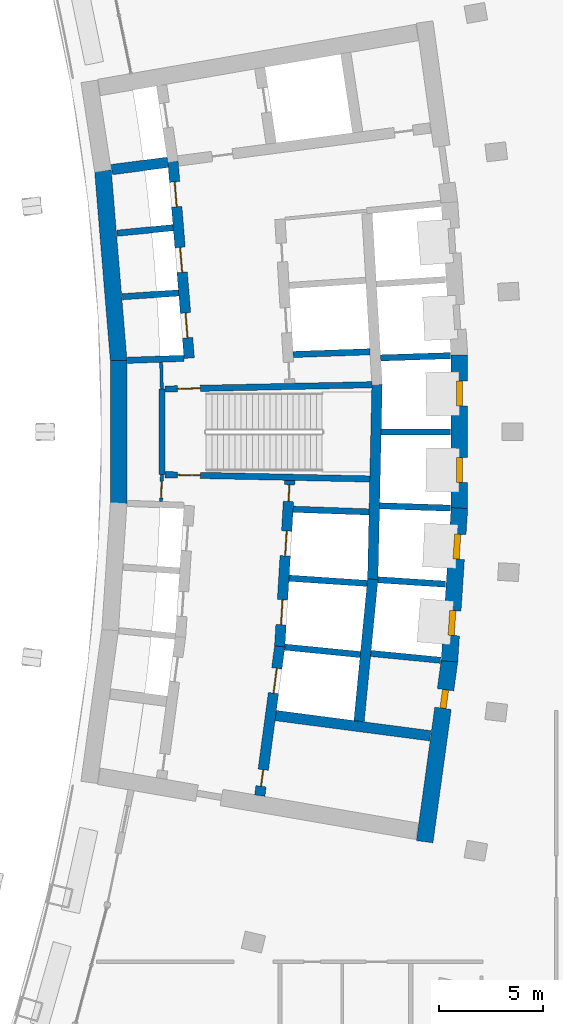
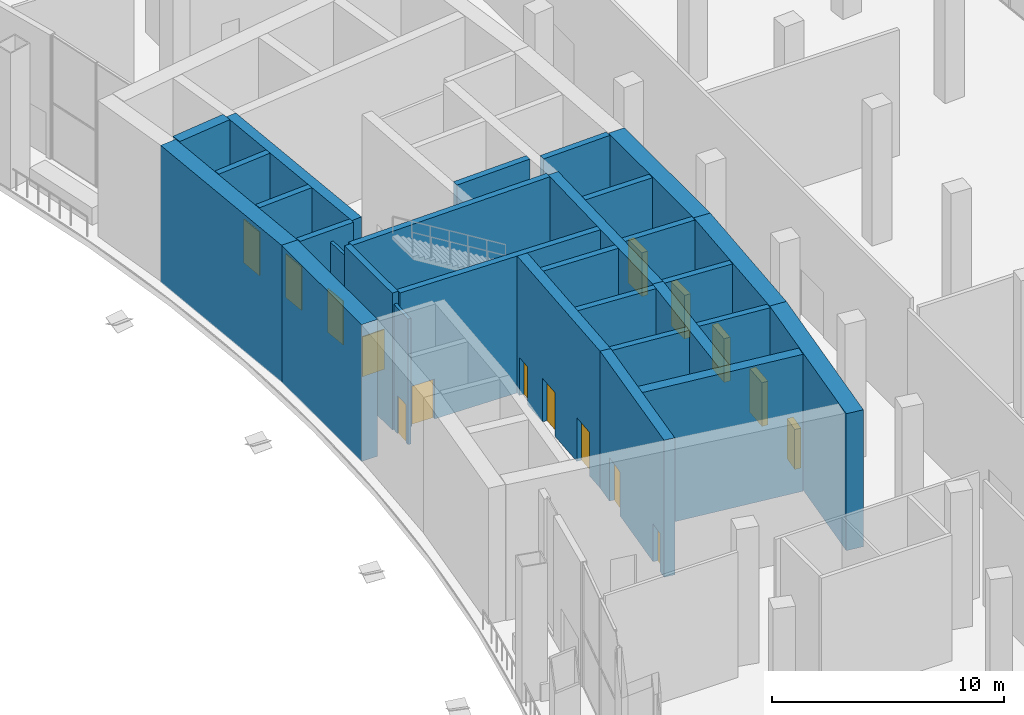
# One storey, part 10 of 18: 29 walls, 16 doors, 16 openings.
"""IFC4 building model written with IfcOpenShell, lengths in metres."""

from ifc_helpers import new_model, si_unit, direction, frame, frame_2d, origin, place, context, subcontext, project, spatial, rectangle, extrude, material, layer, layer_set, type_object, element, fill, save


model = new_model("IFC4")

# Units and contexts
model_context = context("Model", 3, precision=1e-05, world=origin(), true_north=direction((0.0, 1.0)))
body_context = subcontext(model_context, "Body", "Model", "MODEL_VIEW")
ifc_project = project(units=[si_unit("LENGTHUNIT", "METRE"), si_unit("AREAUNIT", "SQUARE_METRE"), si_unit("VOLUMEUNIT", "CUBIC_METRE"), si_unit("PLANEANGLEUNIT", "RADIAN"), si_unit("MASSUNIT", "GRAM", prefix="KILO")], contexts=[model_context])

# Site, building, storey
site_placement = place(None, origin())
site = spatial("IfcSite", under=ifc_project, at=site_placement, CompositionType="ELEMENT")
building_placement = place(site_placement, origin())
building = spatial("IfcBuilding", under=site, at=building_placement, Name="Alderwake Tower", CompositionType="ELEMENT")
storey_placement = place(building_placement, frame((0.0, 0.0, 125.60009765625)))
storey = spatial("IfcBuildingStorey", under=building, at=storey_placement, Name="L31", CompositionType="ELEMENT", Elevation=125.60009765625)

# Wall, opening, door
ifc_material_1 = material(Name="Gypsum shaft wall system, rated")
ifc_layer_1 = layer(ifc_material_1, 0.14990234375)
ifc_layer_set_1 = layer_set([ifc_layer_1], Name="Core room partition 150")
wall_type_1 = type_object("IfcWallType", Name="Core room partition 150", PredefinedType="PARTITIONING", material=ifc_layer_set_1)
wall_1_placement = place(storey_placement, frame((18.918701171875, 58.94384765625, 0.0), z_axis=(0.0, 0.0, 1.0), x_axis=(-0.027348257573, -0.999625966453, 0.0)))
wall_1 = element("IfcWall", 1, at=wall_1_placement, inside=storey, type_object=wall_type_1, Name="CW/L31/PA+24_-37", PredefinedType="PARTITIONING", context=body_context, shape_type="SweptSolid", body=[
    extrude(rectangle(XDim=1.29443359375, YDim=0.14990234375, at=frame_2d((0.647216796875, 0.0))), origin(), (0.0, 0.0, 1.0), 6.599853515625),
])
opening_1_placement = place(wall_1_placement, frame((0.322998046875, 0.0, 0.0)))
opening_1 = element("IfcOpeningElement", 2, at=opening_1_placement, cuts=wall_1, Name="Opening C004", PredefinedType="OPENING", context=body_context, shape_type="SweptSolid", body=[
    extrude(rectangle(XDim=0.800048828125, YDim=2.0, at=frame_2d((0.39990234375, 1.0))), frame((0.0, 0.0849609375, 0.0), z_axis=(0.0, -1.0, 0.0), x_axis=(1.0, 0.0, 0.0)), (0.0, 0.0, 1.0), 0.169921875),
])
ifc_material_2 = material(Name="Painted steel leaf, rated", Category="steel")
door_type_1 = type_object("IfcDoorType", Name="Riser access door 800", OperationType="SINGLE_SWING_LEFT", PredefinedType="DOOR", material=ifc_material_2)
door_1_placement = place(opening_1_placement, origin())
door_1 = element("IfcDoor", 3, at=door_1_placement, inside=storey, type_object=door_type_1, Name="Riser access door", OperationType="SINGLE_SWING_RIGHT", OverallHeight=2.0, OverallWidth=0.800048828125, PredefinedType="DOOR", context=body_context, shape_type="SweptSolid", body=[
    extrude(rectangle(XDim=0.800048828125, YDim=2.0, at=frame_2d((0.39990234375, 1.0))), frame((0.0, 0.02490234375, 0.0), z_axis=(0.0, -1.0, 0.0), x_axis=(1.0, 0.0, 0.0)), (0.0, 0.0, 1.0), 0.050048828125),
])
fill(opening_1, door_1)

# Walls
wall_2_placement = place(storey_placement, frame((18.918701171875, 63.05517578125, 0.0), z_axis=(0.0, 0.0, 1.0), x_axis=(-0.027327648352, 0.999626530078, 0.0)))
element("IfcWall", 4, at=wall_2_placement, inside=storey, type_object=wall_type_1, Name="CW/L31/PA+24_+22", PredefinedType="PARTITIONING", context=body_context, shape_type="SweptSolid", body=[
    extrude(rectangle(XDim=1.29541015625, YDim=0.14990234375, at=frame_2d((0.647705078125, 0.0))), origin(), (0.0, 0.0, 1.0), 6.599853515625),
])
ifc_material_3 = material(Name="Concrete C70/85", Category="concrete")
ifc_layer_2 = layer(ifc_material_3, 0.800048828125)
ifc_layer_set_2 = layer_set([ifc_layer_2], Name="Core wall outer 800 C70-85")
wall_type_2 = type_object("IfcWallType", Name="Core wall outer 800 C70-85", PredefinedType="SHEAR", material=ifc_layer_set_2)
wall_3_placement = place(storey_placement, frame((16.83935546875, 57.558349609375, 0.0), z_axis=(0.0, 0.0, 1.0), x_axis=(0.0, 1.0, 0.0)))
element("IfcWall", 5, at=wall_3_placement, inside=storey, type_object=wall_type_2, Name="Core wall CW.043", PredefinedType="SHEAR", context=body_context, shape_type="SweptSolid", body=[
    extrude(rectangle(XDim=6.886474609375, YDim=0.800048828125, at=frame_2d((3.443359375, 0.0))), origin(), (0.0, 0.0, 1.0), 7.199951171875),
])
wall_4_placement = place(storey_placement, frame((16.8408203125, 64.410888671875, 0.0), z_axis=(0.0, 0.0, 1.0), x_axis=(-0.082619502339, 0.996581164699, 0.0)))
element("IfcWall", 6, at=wall_4_placement, inside=storey, type_object=wall_type_2, Name="Core wall CW.040", PredefinedType="SHEAR", context=body_context, shape_type="SweptSolid", body=[
    extrude(rectangle(XDim=9.201904296875, YDim=0.800048828125, at=frame_2d((4.60107421875, 0.0))), origin(), (0.0, 0.0, 1.0), 7.199951171875),
])

# Wall, opening, door
wall_5_placement = place(storey_placement, frame((32.763427734375, 49.980712890625, 0.0), z_axis=(0.0, 0.0, 1.0), x_axis=(-0.135838347444, -0.990731014637, 0.0)))
wall_5 = element("IfcWall", 7, at=wall_5_placement, inside=storey, type_object=wall_type_2, Name="Core wall CW.012", PredefinedType="SHEAR", context=body_context, shape_type="SweptSolid", body=[
    extrude(rectangle(XDim=8.788818359375, YDim=0.800048828125, at=frame_2d((4.39453125, 0.0))), origin(), (0.0, 0.0, 1.0), 7.199951171875),
])
opening_2_placement = place(wall_5_placement, frame((1.40576171875, 0.0, 0.0)))
opening_2 = element("IfcOpeningElement", 8, at=opening_2_placement, cuts=wall_5, Name="Opening C050", PredefinedType="OPENING", context=body_context, shape_type="SweptSolid", body=[
    extrude(rectangle(XDim=0.89990234375, YDim=2.10009765625, at=frame_2d((0.449951171875, 1.050048828125))), frame((0.0, 0.409912109375, 0.0), z_axis=(0.0, -1.0, 0.0), x_axis=(1.0, 0.0, 0.0)), (0.0, 0.0, 1.0), 0.820068359375),
])
ifc_material_4 = material(Name="Painted steel leaf", Category="steel")
door_type_2 = type_object("IfcDoorType", Name="Core room door 900", OperationType="SINGLE_SWING_LEFT", PredefinedType="DOOR", material=ifc_material_4)
door_2_placement = place(opening_2_placement, origin())
door_2 = element("IfcDoor", 9, at=door_2_placement, inside=storey, type_object=door_type_2, Name="Room door", OperationType="SINGLE_SWING_LEFT", OverallHeight=2.10009765625, OverallWidth=0.89990234375, PredefinedType="DOOR", context=body_context, shape_type="SweptSolid", body=[
    extrude(rectangle(XDim=0.89990234375, YDim=2.10009765625, at=frame_2d((0.449951171875, 1.050048828125))), frame((0.0, 0.14990234375, 0.0), z_axis=(0.0, -1.0, 0.0), x_axis=(1.0, 0.0, 0.0)), (0.0, 0.0, 1.0), 0.300048828125),
])
fill(opening_2, door_2)

# Wall, openings, doors
wall_6_placement = place(storey_placement, frame((32.760498046875, 49.951416015625, 0.0), z_axis=(0.0, 0.0, 1.0), x_axis=(0.064976219143, 0.997886812693, 0.0)))
wall_6 = element("IfcWall", 10, at=wall_6_placement, inside=storey, type_object=wall_type_2, Name="Core wall CW.011", PredefinedType="SHEAR", context=body_context, shape_type="SweptSolid", body=[
    extrude(rectangle(XDim=7.39453125, YDim=0.800048828125, at=frame_2d((3.697265625, 0.0))), origin(), (0.0, 0.0, 1.0), 7.199951171875),
])
opening_3_placement = place(wall_6_placement, frame((1.256103515625, 0.0, 0.0)))
opening_3 = element("IfcOpeningElement", 11, at=opening_3_placement, cuts=wall_6, Name="Opening LD-HP1", PredefinedType="OPENING", context=body_context, shape_type="SweptSolid", body=[
    extrude(rectangle(XDim=1.199951171875, YDim=2.300048828125, at=frame_2d((0.60009765625, 1.14990234375))), frame((0.0, 0.409912109375, 0.0), z_axis=(0.0, -1.0, 0.0), x_axis=(1.0, 0.0, 0.0)), (0.0, 0.0, 1.0), 0.820068359375),
])
opening_4_placement = place(wall_6_placement, frame((4.939697265625, 0.0, 0.0)))
opening_4 = element("IfcOpeningElement", 12, at=opening_4_placement, cuts=wall_6, Name="Opening LD-HP2", PredefinedType="OPENING", context=body_context, shape_type="SweptSolid", body=[
    extrude(rectangle(XDim=1.199951171875, YDim=2.300048828125, at=frame_2d((0.60009765625, 1.14990234375))), frame((0.0, 0.409912109375, 0.0), z_axis=(0.0, -1.0, 0.0), x_axis=(1.0, 0.0, 0.0)), (0.0, 0.0, 1.0), 0.820068359375),
])
ifc_material_5 = material(Name="Stainless steel sliding leaf", Category="steel")
door_type_3 = type_object("IfcDoorType", Name="Lift landing door 1200", OperationType="SLIDING_TO_LEFT", PredefinedType="DOOR", material=ifc_material_5)
door_3_placement = place(opening_3_placement, origin())
door_3 = element("IfcDoor", 13, at=door_3_placement, inside=storey, type_object=door_type_3, Name="Lift landing door HP1", OperationType="SLIDING_TO_LEFT", OverallHeight=2.300048828125, OverallWidth=1.199951171875, PredefinedType="DOOR", context=body_context, shape_type="SweptSolid", body=[
    extrude(rectangle(XDim=1.199951171875, YDim=2.300048828125, at=frame_2d((0.60009765625, 1.14990234375))), frame((0.0, 0.14990234375, 0.0), z_axis=(0.0, -1.0, 0.0), x_axis=(1.0, 0.0, 0.0)), (0.0, 0.0, 1.0), 0.300048828125),
])
fill(opening_3, door_3)
door_4_placement = place(opening_4_placement, origin())
door_4 = element("IfcDoor", 14, at=door_4_placement, inside=storey, type_object=door_type_3, Name="Lift landing door HP2", OperationType="SLIDING_TO_LEFT", OverallHeight=2.300048828125, OverallWidth=1.199951171875, PredefinedType="DOOR", context=body_context, shape_type="SweptSolid", body=[
    extrude(rectangle(XDim=1.199951171875, YDim=2.300048828125, at=frame_2d((0.60009765625, 1.14990234375))), frame((0.0, 0.14990234375, 0.0), z_axis=(0.0, -1.0, 0.0), x_axis=(1.0, 0.0, 0.0)), (0.0, 0.0, 1.0), 0.300048828125),
])
fill(opening_4, door_4)

wall_7_placement = place(storey_placement, frame((33.239990234375, 57.30322265625, 0.0), z_axis=(0.0, 0.0, 1.0), x_axis=(0.0, 1.0, 0.0)))
wall_7 = element("IfcWall", 15, at=wall_7_placement, inside=storey, type_object=wall_type_2, Name="Core wall CW.013", PredefinedType="SHEAR", context=body_context, shape_type="SweptSolid", body=[
    extrude(rectangle(XDim=7.3935546875, YDim=0.800048828125, at=frame_2d((3.69677734375, 0.0))), origin(), (0.0, 0.0, 1.0), 7.199951171875),
])
opening_5_placement = place(wall_7_placement, frame((1.2548828125, 0.0, 0.0)))
opening_5 = element("IfcOpeningElement", 16, at=opening_5_placement, cuts=wall_7, Name="Opening LD-HP3", PredefinedType="OPENING", context=body_context, shape_type="SweptSolid", body=[
    extrude(rectangle(XDim=1.199951171875, YDim=2.300048828125, at=frame_2d((0.60009765625, 1.14990234375))), frame((0.0, 0.409912109375, 0.0), z_axis=(0.0, -1.0, 0.0), x_axis=(1.0, 0.0, 0.0)), (0.0, 0.0, 1.0), 0.820068359375),
])
opening_6_placement = place(wall_7_placement, frame((4.9384765625, 0.0, 0.0)))
opening_6 = element("IfcOpeningElement", 17, at=opening_6_placement, cuts=wall_7, Name="Opening LD-HP4", PredefinedType="OPENING", context=body_context, shape_type="SweptSolid", body=[
    extrude(rectangle(XDim=1.199951171875, YDim=2.300048828125, at=frame_2d((0.60009765625, 1.14990234375))), frame((0.0, 0.409912109375, 0.0), z_axis=(0.0, -1.0, 0.0), x_axis=(1.0, 0.0, 0.0)), (0.0, 0.0, 1.0), 0.820068359375),
])
door_5_placement = place(opening_5_placement, origin())
door_5 = element("IfcDoor", 18, at=door_5_placement, inside=storey, type_object=door_type_3, Name="Lift landing door HP3", OperationType="SLIDING_TO_LEFT", OverallHeight=2.300048828125, OverallWidth=1.199951171875, PredefinedType="DOOR", context=body_context, shape_type="SweptSolid", body=[
    extrude(rectangle(XDim=1.199951171875, YDim=2.300048828125, at=frame_2d((0.60009765625, 1.14990234375))), frame((0.0, 0.14990234375, 0.0), z_axis=(0.0, -1.0, 0.0), x_axis=(1.0, 0.0, 0.0)), (0.0, 0.0, 1.0), 0.300048828125),
])
fill(opening_5, door_5)
door_6_placement = place(opening_6_placement, origin())
door_6 = element("IfcDoor", 19, at=door_6_placement, inside=storey, type_object=door_type_3, Name="Lift landing door HP4", OperationType="SLIDING_TO_LEFT", OverallHeight=2.300048828125, OverallWidth=1.199951171875, PredefinedType="DOOR", context=body_context, shape_type="SweptSolid", body=[
    extrude(rectangle(XDim=1.199951171875, YDim=2.300048828125, at=frame_2d((0.60009765625, 1.14990234375))), frame((0.0, 0.14990234375, 0.0), z_axis=(0.0, -1.0, 0.0), x_axis=(1.0, 0.0, 0.0)), (0.0, 0.0, 1.0), 0.300048828125),
])
fill(opening_6, door_6)

# Walls
ifc_material_6 = material(Name="Concrete C70/85", Category="concrete")
ifc_layer_3 = layer(ifc_material_6, 0.300048828125)
ifc_layer_set_3 = layer_set([ifc_layer_3], Name="Core wall shaft 300 C70-85")
wall_type_3 = type_object("IfcWallType", Name="Core wall shaft 300 C70-85", PredefinedType="SHEAR", material=ifc_layer_set_3)
wall_8_placement = place(storey_placement, frame((24.839599609375, 50.64013671875, 0.0), z_axis=(0.0, 0.0, 1.0), x_axis=(0.995151214483, -0.098356801055, 0.0)))
element("IfcWall", 20, at=wall_8_placement, inside=storey, type_object=wall_type_3, Name="Core wall CW.066", PredefinedType="SHEAR", context=body_context, shape_type="SweptSolid", body=[
    extrude(rectangle(XDim=3.646240234375, YDim=0.300048828125, at=frame_2d((1.8232421875, 0.0))), origin(), (0.0, 0.0, 1.0), 7.199951171875),
])
wall_9_placement = place(storey_placement, frame((28.975830078125, 50.336669921875, 0.0), z_axis=(0.0, 0.0, 1.0), x_axis=(0.995244221055, -0.097411192666, 0.0)))
element("IfcWall", 21, at=wall_9_placement, inside=storey, type_object=wall_type_3, Name="Core wall CW.064", PredefinedType="SHEAR", context=body_context, shape_type="SweptSolid", body=[
    extrude(rectangle(XDim=3.37353515625, YDim=0.300048828125, at=frame_2d((1.686767578125, 0.0))), origin(), (0.0, 0.0, 1.0), 7.199951171875),
])
wall_10_placement = place(storey_placement, frame((25.0400390625, 53.9580078125, 0.0), z_axis=(0.0, 0.0, 1.0), x_axis=(0.997761584708, -0.06687166875, 0.0)))
element("IfcWall", 22, at=wall_10_placement, inside=storey, type_object=wall_type_3, Name="Core wall CW.080", PredefinedType="SHEAR", context=body_context, shape_type="SweptSolid", body=[
    extrude(rectangle(XDim=3.767822265625, YDim=0.300048828125, at=frame_2d((1.8837890625, 0.0))), origin(), (0.0, 0.0, 1.0), 7.199951171875),
])
wall_11_placement = place(storey_placement, frame((29.318603515625, 53.88134765625, 0.0), z_axis=(0.0, 0.0, 1.0), x_axis=(0.997885072108, -0.065002945035, 0.0)))
element("IfcWall", 23, at=wall_11_placement, inside=storey, type_object=wall_type_3, Name="Core wall CW.078", PredefinedType="SHEAR", context=body_context, shape_type="SweptSolid", body=[
    extrude(rectangle(XDim=3.260009765625, YDim=0.300048828125, at=frame_2d((1.6298828125, 0.0))), origin(), (0.0, 0.0, 1.0), 7.199951171875),
])
wall_12_placement = place(storey_placement, frame((25.240478515625, 57.27490234375, 0.0), z_axis=(0.0, 0.0, 1.0), x_axis=(0.9993723549, -0.035424514988, 0.0)))
element("IfcWall", 24, at=wall_12_placement, inside=storey, type_object=wall_type_3, Name="Core wall CW.077", PredefinedType="SHEAR", context=body_context, shape_type="SweptSolid", body=[
    extrude(rectangle(XDim=3.652587890625, YDim=0.300048828125, at=frame_2d((1.826171875, 0.0))), origin(), (0.0, 0.0, 1.0), 7.199951171875),
])
wall_13_placement = place(storey_placement, frame((29.3974609375, 57.44189453125, 0.0), z_axis=(0.0, 0.0, 1.0), x_axis=(0.999470631901, -0.032533920269, 0.0)))
element("IfcWall", 25, at=wall_13_placement, inside=storey, type_object=wall_type_3, Name="Core wall CW.075", PredefinedType="SHEAR", context=body_context, shape_type="SweptSolid", body=[
    extrude(rectangle(XDim=3.414306640625, YDim=0.300048828125, at=frame_2d((1.70703125, 0.0))), origin(), (0.0, 0.0, 1.0), 7.199951171875),
])
wall_14_placement = place(storey_placement, frame((29.47607421875, 61.0, 0.0), z_axis=(0.0, 0.0, 1.0), x_axis=(1.0, 0.0, 0.0)))
element("IfcWall", 26, at=wall_14_placement, inside=storey, type_object=wall_type_3, Name="Core wall CW.048", PredefinedType="SHEAR", context=body_context, shape_type="SweptSolid", body=[
    extrude(rectangle(XDim=3.333984375, YDim=0.300048828125, at=frame_2d((1.6669921875, 0.0))), origin(), (0.0, 0.0, 1.0), 7.199951171875),
])
wall_15_placement = place(storey_placement, frame((29.451416015625, 64.559814453125, 0.0), z_axis=(0.0, 0.0, 1.0), x_axis=(0.999470173959, 0.032547985602, 0.0)))
element("IfcWall", 27, at=wall_15_placement, inside=storey, type_object=wall_type_3, Name="Core wall CW.058", PredefinedType="SHEAR", context=body_context, shape_type="SweptSolid", body=[
    extrude(rectangle(XDim=3.3603515625, YDim=0.300048828125, at=frame_2d((1.68017578125, 0.0))), origin(), (0.0, 0.0, 1.0), 7.199951171875),
])
wall_16_placement = place(storey_placement, frame((17.269287109375, 64.443115234375, 0.0), z_axis=(0.0, 0.0, 1.0), x_axis=(0.999374239339, 0.03537131246, 0.0)))
element("IfcWall", 28, at=wall_16_placement, inside=storey, type_object=wall_type_3, Name="Core wall CW.059", PredefinedType="SHEAR", context=body_context, shape_type="SweptSolid", body=[
    extrude(rectangle(XDim=2.719482421875, YDim=0.300048828125, at=frame_2d((1.35986328125, 0.0))), origin(), (0.0, 0.0, 1.0), 7.199951171875),
])
wall_17_placement = place(storey_placement, frame((25.2412109375, 64.725341796875, 0.0), z_axis=(0.0, 0.0, 1.0), x_axis=(0.999374835574, 0.035354462543, 0.0)))
element("IfcWall", 29, at=wall_17_placement, inside=storey, type_object=wall_type_3, Name="Core wall CW.060", PredefinedType="SHEAR", context=body_context, shape_type="SweptSolid", body=[
    extrude(rectangle(XDim=3.6943359375, YDim=0.300048828125, at=frame_2d((1.84716796875, 0.0))), origin(), (0.0, 0.0, 1.0), 7.199951171875),
])
for number, where, z_axis, x_axis, name in (
    (30, (17.015869140625, 67.50390625, 0.0), (0.0, 0.0, 1.0), (0.997756033475, 0.066954444689, 0.0), "Core wall CW.062"),
    (31, (16.76220703125, 70.561767578125, 0.0), (0.0, 0.0, 1.0), (0.995154832978, 0.098320183083, 0.0), "Core wall CW.050"),
):
    element("IfcWall", number, at=place(storey_placement, frame(where, z_axis=z_axis, x_axis=x_axis)), inside=storey, type_object=wall_type_3, Name=name, PredefinedType="SHEAR", context=body_context, shape_type="SweptSolid", body=[
        extrude(rectangle(XDim=2.716552734375, YDim=0.300048828125, at=frame_2d((1.3583984375, 0.0))), origin(), (0.0, 0.0, 1.0), 7.199951171875),
    ])

# Wall, openings, doors
ifc_material_7 = material(Name="Concrete C70/85", Category="concrete")
ifc_layer_4 = layer(ifc_material_7, 0.5)
ifc_layer_set_4 = layer_set([ifc_layer_4], Name="Core wall spine 500 C70-85")
wall_type_4 = type_object("IfcWallType", Name="Core wall spine 500 C70-85", PredefinedType="SHEAR", material=ifc_layer_set_4)
wall_18_placement = place(storey_placement, frame((20.2373046875, 64.548095703125, 0.0), z_axis=(0.0, 0.0, 1.0), x_axis=(-0.082641410547, 0.996579348202, 0.0)))
wall_18 = element("IfcWall", 32, at=wall_18_placement, inside=storey, type_object=wall_type_4, Name="Core wall CW.031", PredefinedType="SHEAR", context=body_context, shape_type="SweptSolid", body=[
    extrude(rectangle(XDim=9.500732421875, YDim=0.5, at=frame_2d((4.75048828125, 0.0))), origin(), (0.0, 0.0, 1.0), 7.199951171875),
])
opening_7_placement = place(wall_18_placement, frame((0.9814453125, 0.0, 0.0)))
opening_7 = element("IfcOpeningElement", 33, at=opening_7_placement, cuts=wall_18, Name="Opening LD-SH1", PredefinedType="OPENING", context=body_context, shape_type="SweptSolid", body=[
    extrude(rectangle(XDim=1.199951171875, YDim=2.300048828125, at=frame_2d((0.60009765625, 1.14990234375))), frame((0.0, 0.260009765625, 0.0), z_axis=(0.0, -1.0, 0.0), x_axis=(1.0, 0.0, 0.0)), (0.0, 0.0, 1.0), 0.52001953125),
])
opening_8_placement = place(wall_18_placement, frame((4.14599609375, 0.0, 0.0)))
opening_8 = element("IfcOpeningElement", 34, at=opening_8_placement, cuts=wall_18, Name="Opening LD-SH2", PredefinedType="OPENING", context=body_context, shape_type="SweptSolid", body=[
    extrude(rectangle(XDim=1.199951171875, YDim=2.300048828125, at=frame_2d((0.60009765625, 1.14990234375))), frame((0.0, 0.260009765625, 0.0), z_axis=(0.0, -1.0, 0.0), x_axis=(1.0, 0.0, 0.0)), (0.0, 0.0, 1.0), 0.52001953125),
])
opening_9_placement = place(wall_18_placement, frame((7.310791015625, 0.0, 0.0)))
opening_9 = element("IfcOpeningElement", 35, at=opening_9_placement, cuts=wall_18, Name="Opening LD-SH3", PredefinedType="OPENING", context=body_context, shape_type="SweptSolid", body=[
    extrude(rectangle(XDim=1.199951171875, YDim=2.300048828125, at=frame_2d((0.60009765625, 1.14990234375))), frame((0.0, 0.260009765625, 0.0), z_axis=(0.0, -1.0, 0.0), x_axis=(1.0, 0.0, 0.0)), (0.0, 0.0, 1.0), 0.52001953125),
])
door_7_placement = place(opening_7_placement, origin())
door_7 = element("IfcDoor", 36, at=door_7_placement, inside=storey, type_object=door_type_3, Name="Lift landing door SH1", OperationType="SLIDING_TO_LEFT", OverallHeight=2.300048828125, OverallWidth=1.199951171875, PredefinedType="DOOR", context=body_context, shape_type="SweptSolid", body=[
    extrude(rectangle(XDim=1.199951171875, YDim=2.300048828125, at=frame_2d((0.60009765625, 1.14990234375))), frame((0.0, 0.02490234375, 0.0), z_axis=(0.0, -1.0, 0.0), x_axis=(1.0, 0.0, 0.0)), (0.0, 0.0, 1.0), 0.050048828125),
])
fill(opening_7, door_7)
door_8_placement = place(opening_8_placement, origin())
door_8 = element("IfcDoor", 37, at=door_8_placement, inside=storey, type_object=door_type_3, Name="Lift landing door SH2", OperationType="SLIDING_TO_LEFT", OverallHeight=2.300048828125, OverallWidth=1.199951171875, PredefinedType="DOOR", context=body_context, shape_type="SweptSolid", body=[
    extrude(rectangle(XDim=1.199951171875, YDim=2.300048828125, at=frame_2d((0.60009765625, 1.14990234375))), frame((0.0, 0.02490234375, 0.0), z_axis=(0.0, -1.0, 0.0), x_axis=(1.0, 0.0, 0.0)), (0.0, 0.0, 1.0), 0.050048828125),
])
fill(opening_8, door_8)
door_9_placement = place(opening_9_placement, origin())
door_9 = element("IfcDoor", 38, at=door_9_placement, inside=storey, type_object=door_type_3, Name="Lift landing door SH3", OperationType="SLIDING_TO_LEFT", OverallHeight=2.300048828125, OverallWidth=1.199951171875, PredefinedType="DOOR", context=body_context, shape_type="SweptSolid", body=[
    extrude(rectangle(XDim=1.199951171875, YDim=2.300048828125, at=frame_2d((0.60009765625, 1.14990234375))), frame((0.0, 0.02490234375, 0.0), z_axis=(0.0, -1.0, 0.0), x_axis=(1.0, 0.0, 0.0)), (0.0, 0.0, 1.0), 0.050048828125),
])
fill(opening_9, door_9)

wall_19_placement = place(storey_placement, frame((23.631103515625, 43.489501953125, 0.0), z_axis=(0.0, 0.0, 1.0), x_axis=(0.132532135635, 0.991178708924, 0.0)))
wall_19 = element("IfcWall", 39, at=wall_19_placement, inside=storey, type_object=wall_type_4, Name="Core wall CW.047", PredefinedType="SHEAR", context=body_context, shape_type="SweptSolid", body=[
    extrude(rectangle(XDim=7.248779296875, YDim=0.5, at=frame_2d((3.62451171875, 0.0))), origin(), (0.0, 0.0, 1.0), 7.199951171875),
])
opening_10_placement = place(wall_19_placement, frame((4.981201171875, 0.0, 0.0)))
opening_10 = element("IfcOpeningElement", 40, at=opening_10_placement, cuts=wall_19, Name="Opening LD-LP4", PredefinedType="OPENING", context=body_context, shape_type="SweptSolid", body=[
    extrude(rectangle(XDim=1.199951171875, YDim=2.300048828125, at=frame_2d((0.60009765625, 1.14990234375))), frame((0.0, 0.260009765625, 0.0), z_axis=(0.0, -1.0, 0.0), x_axis=(1.0, 0.0, 0.0)), (0.0, 0.0, 1.0), 0.52001953125),
])
opening_11_placement = place(wall_19_placement, frame((0.4580078125, 0.0, 0.0)))
opening_11 = element("IfcOpeningElement", 41, at=opening_11_placement, cuts=wall_19, Name="Opening C014", PredefinedType="OPENING", context=body_context, shape_type="SweptSolid", body=[
    extrude(rectangle(XDim=0.800048828125, YDim=2.0, at=frame_2d((0.39990234375, 1.0))), frame((0.0, 0.260009765625, 0.0), z_axis=(0.0, -1.0, 0.0), x_axis=(1.0, 0.0, 0.0)), (0.0, 0.0, 1.0), 0.52001953125),
])
door_10_placement = place(opening_10_placement, origin())
door_10 = element("IfcDoor", 42, at=door_10_placement, inside=storey, type_object=door_type_3, Name="Lift landing door LP4", OperationType="SLIDING_TO_LEFT", OverallHeight=2.300048828125, OverallWidth=1.199951171875, PredefinedType="DOOR", context=body_context, shape_type="SweptSolid", body=[
    extrude(rectangle(XDim=1.199951171875, YDim=2.300048828125, at=frame_2d((0.60009765625, 1.14990234375))), frame((0.0, 0.02490234375, 0.0), z_axis=(0.0, -1.0, 0.0), x_axis=(1.0, 0.0, 0.0)), (0.0, 0.0, 1.0), 0.050048828125),
])
fill(opening_10, door_10)
door_11_placement = place(opening_11_placement, origin())
door_11 = element("IfcDoor", 43, at=door_11_placement, inside=storey, type_object=door_type_1, Name="Riser access door", OperationType="SINGLE_SWING_RIGHT", OverallHeight=2.0, OverallWidth=0.800048828125, PredefinedType="DOOR", context=body_context, shape_type="SweptSolid", body=[
    extrude(rectangle(XDim=0.800048828125, YDim=2.0, at=frame_2d((0.39990234375, 1.0))), frame((0.0, 0.02490234375, 0.0), z_axis=(0.0, -1.0, 0.0), x_axis=(1.0, 0.0, 0.0)), (0.0, 0.0, 1.0), 0.050048828125),
])
fill(opening_11, door_11)

wall_20_placement = place(storey_placement, frame((24.590087890625, 50.655029296875, 0.0), z_axis=(0.0, 0.0, 1.0), x_axis=(0.060305817737, 0.998179947879, 0.0)))
wall_20 = element("IfcWall", 44, at=wall_20_placement, inside=storey, type_object=wall_type_4, Name="Core wall CW.046", PredefinedType="SHEAR", context=body_context, shape_type="SweptSolid", body=[
    extrude(rectangle(XDim=8.02392578125, YDim=0.5, at=frame_2d((4.011962890625, 0.0))), origin(), (0.0, 0.0, 1.0), 7.199951171875),
])
opening_12_placement = place(wall_20_placement, frame((1.067138671875, 0.0, 0.0)))
opening_12 = element("IfcOpeningElement", 45, at=opening_12_placement, cuts=wall_20, Name="Opening LD-LP5", PredefinedType="OPENING", context=body_context, shape_type="SweptSolid", body=[
    extrude(rectangle(XDim=1.199951171875, YDim=2.300048828125, at=frame_2d((0.60009765625, 1.14990234375))), frame((0.0, 0.260009765625, 0.0), z_axis=(0.0, -1.0, 0.0), x_axis=(1.0, 0.0, 0.0)), (0.0, 0.0, 1.0), 0.52001953125),
])
opening_13_placement = place(wall_20_placement, frame((4.383544921875, 0.0, 0.0)))
opening_13 = element("IfcOpeningElement", 46, at=opening_13_placement, cuts=wall_20, Name="Opening LD-LP6", PredefinedType="OPENING", context=body_context, shape_type="SweptSolid", body=[
    extrude(rectangle(XDim=1.199951171875, YDim=2.300048828125, at=frame_2d((0.60009765625, 1.14990234375))), frame((0.0, 0.260009765625, 0.0), z_axis=(0.0, -1.0, 0.0), x_axis=(1.0, 0.0, 0.0)), (0.0, 0.0, 1.0), 0.52001953125),
])
opening_14_placement = place(wall_20_placement, frame((7.0078125, 0.0, 0.0)))
opening_14 = element("IfcOpeningElement", 47, at=opening_14_placement, cuts=wall_20, Name="Opening C006", PredefinedType="OPENING", context=body_context, shape_type="SweptSolid", body=[
    extrude(rectangle(XDim=0.800048828125, YDim=2.0, at=frame_2d((0.39990234375, 1.0))), frame((0.0, 0.260009765625, 0.0), z_axis=(0.0, -1.0, 0.0), x_axis=(1.0, 0.0, 0.0)), (0.0, 0.0, 1.0), 0.52001953125),
])
door_12_placement = place(opening_12_placement, origin())
door_12 = element("IfcDoor", 48, at=door_12_placement, inside=storey, type_object=door_type_3, Name="Lift landing door LP5", OperationType="SLIDING_TO_LEFT", OverallHeight=2.300048828125, OverallWidth=1.199951171875, PredefinedType="DOOR", context=body_context, shape_type="SweptSolid", body=[
    extrude(rectangle(XDim=1.199951171875, YDim=2.300048828125, at=frame_2d((0.60009765625, 1.14990234375))), frame((0.0, 0.02490234375, 0.0), z_axis=(0.0, -1.0, 0.0), x_axis=(1.0, 0.0, 0.0)), (0.0, 0.0, 1.0), 0.050048828125),
])
fill(opening_12, door_12)
door_13_placement = place(opening_13_placement, origin())
door_13 = element("IfcDoor", 49, at=door_13_placement, inside=storey, type_object=door_type_3, Name="Lift landing door LP6", OperationType="SLIDING_TO_LEFT", OverallHeight=2.300048828125, OverallWidth=1.199951171875, PredefinedType="DOOR", context=body_context, shape_type="SweptSolid", body=[
    extrude(rectangle(XDim=1.199951171875, YDim=2.300048828125, at=frame_2d((0.60009765625, 1.14990234375))), frame((0.0, 0.02490234375, 0.0), z_axis=(0.0, -1.0, 0.0), x_axis=(1.0, 0.0, 0.0)), (0.0, 0.0, 1.0), 0.050048828125),
])
fill(opening_13, door_13)
door_14_placement = place(opening_14_placement, origin())
door_14 = element("IfcDoor", 50, at=door_14_placement, inside=storey, type_object=door_type_1, Name="Riser access door", OperationType="SINGLE_SWING_RIGHT", OverallHeight=2.0, OverallWidth=0.800048828125, PredefinedType="DOOR", context=body_context, shape_type="SweptSolid", body=[
    extrude(rectangle(XDim=0.800048828125, YDim=2.0, at=frame_2d((0.39990234375, 1.0))), frame((0.0, 0.02490234375, 0.0), z_axis=(0.0, -1.0, 0.0), x_axis=(1.0, 0.0, 0.0)), (0.0, 0.0, 1.0), 0.050048828125),
])
fill(opening_14, door_14)

# Walls
wall_21_placement = place(storey_placement, frame((28.4091796875, 47.072998046875, 0.0), z_axis=(0.0, 0.0, 1.0), x_axis=(0.096218511654, 0.995360235299, 0.0)))
element("IfcWall", 51, at=wall_21_placement, inside=storey, type_object=wall_type_4, Name="Core wall CW.005", PredefinedType="SHEAR", context=body_context, shape_type="SweptSolid", body=[
    extrude(rectangle(XDim=6.865966796875, YDim=0.5, at=frame_2d((3.43310546875, 0.0))), origin(), (0.0, 0.0, 1.0), 7.199951171875),
])
wall_22_placement = place(storey_placement, frame((29.06884765625, 53.8876953125, 0.0), z_axis=(0.0, 0.0, 1.0), x_axis=(0.022106533109, 0.999755620736, 0.0)))
element("IfcWall", 52, at=wall_22_placement, inside=storey, type_object=wall_type_4, Name="Core wall CW.008", PredefinedType="SHEAR", context=body_context, shape_type="SweptSolid", body=[
    extrude(rectangle(XDim=9.398193359375, YDim=0.5, at=frame_2d((4.69921875, 0.0))), origin(), (0.0, 0.0, 1.0), 7.199951171875),
])
wall_23_placement = place(storey_placement, frame((24.39892578125, 47.345458984375, 0.0), z_axis=(0.0, 0.0, 1.0), x_axis=(0.991552963207, -0.129702433116, 0.0)))
element("IfcWall", 53, at=wall_23_placement, inside=storey, type_object=wall_type_4, Name="Core wall CW.069", PredefinedType="SHEAR", context=body_context, shape_type="SweptSolid", body=[
    extrude(rectangle(XDim=7.4990234375, YDim=0.5, at=frame_2d((3.74951171875, 0.0))), origin(), (0.0, 0.0, 1.0), 7.199951171875),
])
wall_24_placement = place(storey_placement, frame((16.508544921875, 73.62255859375, 0.0), z_axis=(0.0, 0.0, 1.0), x_axis=(0.991548766325, 0.129734513522, 0.0)))
element("IfcWall", 54, at=wall_24_placement, inside=storey, type_object=wall_type_4, Name="Core wall CW.051", PredefinedType="SHEAR", context=body_context, shape_type="SweptSolid", body=[
    extrude(rectangle(XDim=2.71923828125, YDim=0.5, at=frame_2d((1.359619140625, 0.0))), origin(), (0.0, 0.0, 1.0), 7.199951171875),
])
ifc_material_8 = material(Name="Concrete C70/85", Category="concrete")
ifc_layer_5 = layer(ifc_material_8, 0.300048828125)
ifc_layer_set_5 = layer_set([ifc_layer_5], Name="Core wall stair enclosure 300 C70-85")
wall_type_5 = type_object("IfcWallType", Name="Core wall stair enclosure 300 C70-85", PredefinedType="SHEAR", material=ifc_layer_set_5)
wall_25_placement = place(storey_placement, frame((18.918701171875, 58.94091796875, 0.0), z_axis=(0.0, 0.0, 1.0), x_axis=(0.0, 1.0, 0.0)))
element("IfcWall", 55, at=wall_25_placement, inside=storey, type_object=wall_type_5, Name="Core wall CW.024", PredefinedType="SHEAR", context=body_context, shape_type="SweptSolid", body=[
    extrude(rectangle(XDim=4.119384765625, YDim=0.300048828125, at=frame_2d((2.0595703125, 0.0))), origin(), (0.0, 0.0, 1.0), 7.199951171875),
])

# Wall, opening, door
wall_26_placement = place(storey_placement, frame((28.92578125, 58.734130859375, 0.0), z_axis=(0.0, 0.0, 1.0), x_axis=(-0.999783647187, 0.02080045235, 0.0)))
wall_26 = element("IfcWall", 56, at=wall_26_placement, inside=storey, type_object=wall_type_5, Name="Core wall CW.074", PredefinedType="SHEAR", context=body_context, shape_type="SweptSolid", body=[
    extrude(rectangle(XDim=9.859375, YDim=0.300048828125, at=frame_2d((4.9296875, 0.0))), origin(), (0.0, 0.0, 1.0), 7.199951171875),
])
opening_15_placement = place(wall_26_placement, frame((8.159423828125, 0.0, 0.0)))
opening_15 = element("IfcOpeningElement", 57, at=opening_15_placement, cuts=wall_26, Name="Opening C063", PredefinedType="OPENING", context=body_context, shape_type="SweptSolid", body=[
    extrude(rectangle(XDim=1.10009765625, YDim=2.10009765625, at=frame_2d((0.550048828125, 1.050048828125))), frame((0.0, 0.159912109375, 0.0), z_axis=(0.0, -1.0, 0.0), x_axis=(1.0, 0.0, 0.0)), (0.0, 0.0, 1.0), 0.320068359375),
])
ifc_material_9 = material(Name="Steel-framed fire door leaf", Category="steel")
door_type_4 = type_object("IfcDoorType", Name="Core stair door 1100 fire-rated", OperationType="SINGLE_SWING_LEFT", PredefinedType="DOOR", material=ifc_material_9)
door_15_placement = place(opening_15_placement, origin())
door_15 = element("IfcDoor", 58, at=door_15_placement, inside=storey, type_object=door_type_4, Name="Stair door", OperationType="SINGLE_SWING_LEFT", OverallHeight=2.10009765625, OverallWidth=1.10009765625, PredefinedType="DOOR", context=body_context, shape_type="SweptSolid", body=[
    extrude(rectangle(XDim=1.10009765625, YDim=2.10009765625, at=frame_2d((0.550048828125, 1.050048828125))), frame((0.0, 0.02490234375, 0.0), z_axis=(0.0, -1.0, 0.0), x_axis=(1.0, 0.0, 0.0)), (0.0, 0.0, 1.0), 0.050048828125),
])
fill(opening_15, door_15)

wall_27_placement = place(storey_placement, frame((19.068603515625, 63.060791015625, 0.0), z_axis=(0.0, 0.0, 1.0), x_axis=(0.999783418156, 0.020811457903, 0.0)))
wall_27 = element("IfcWall", 59, at=wall_27_placement, inside=storey, type_object=wall_type_5, Name="Core wall CW.057", PredefinedType="SHEAR", context=body_context, shape_type="SweptSolid", body=[
    extrude(rectangle(XDim=9.959716796875, YDim=0.300048828125, at=frame_2d((4.97998046875, 0.0))), origin(), (0.0, 0.0, 1.0), 7.199951171875),
])
opening_16_placement = place(wall_27_placement, frame((0.60009765625, 0.0, 0.0)))
opening_16 = element("IfcOpeningElement", 60, at=opening_16_placement, cuts=wall_27, Name="Opening C064", PredefinedType="OPENING", context=body_context, shape_type="SweptSolid", body=[
    extrude(rectangle(XDim=1.10009765625, YDim=2.10009765625, at=frame_2d((0.550048828125, 1.050048828125))), frame((0.0, 0.159912109375, 0.0), z_axis=(0.0, -1.0, 0.0), x_axis=(1.0, 0.0, 0.0)), (0.0, 0.0, 1.0), 0.320068359375),
])
door_16_placement = place(opening_16_placement, origin())
door_16 = element("IfcDoor", 61, at=door_16_placement, inside=storey, type_object=door_type_4, Name="Stair door", OperationType="SINGLE_SWING_RIGHT", OverallHeight=2.10009765625, OverallWidth=1.10009765625, PredefinedType="DOOR", context=body_context, shape_type="SweptSolid", body=[
    extrude(rectangle(XDim=1.10009765625, YDim=2.10009765625, at=frame_2d((0.550048828125, 1.050048828125))), frame((0.0, 0.02490234375, 0.0), z_axis=(0.0, -1.0, 0.0), x_axis=(1.0, 0.0, 0.0)), (0.0, 0.0, 1.0), 0.050048828125),
])
fill(opening_16, door_16)

save(model, "model.ifc")
